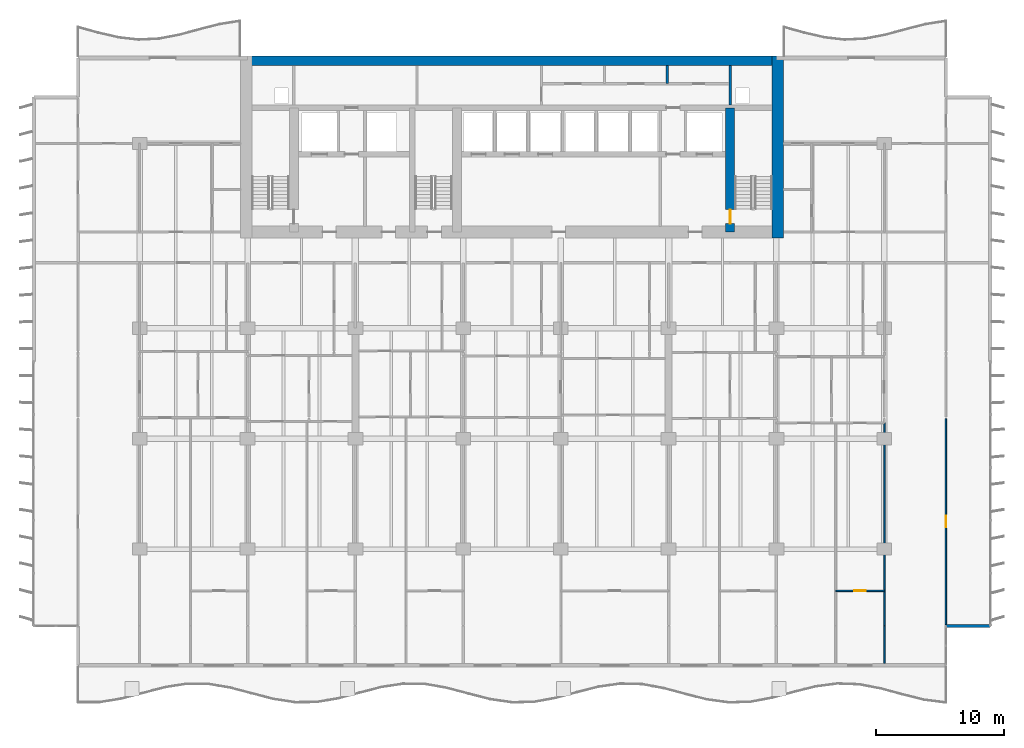
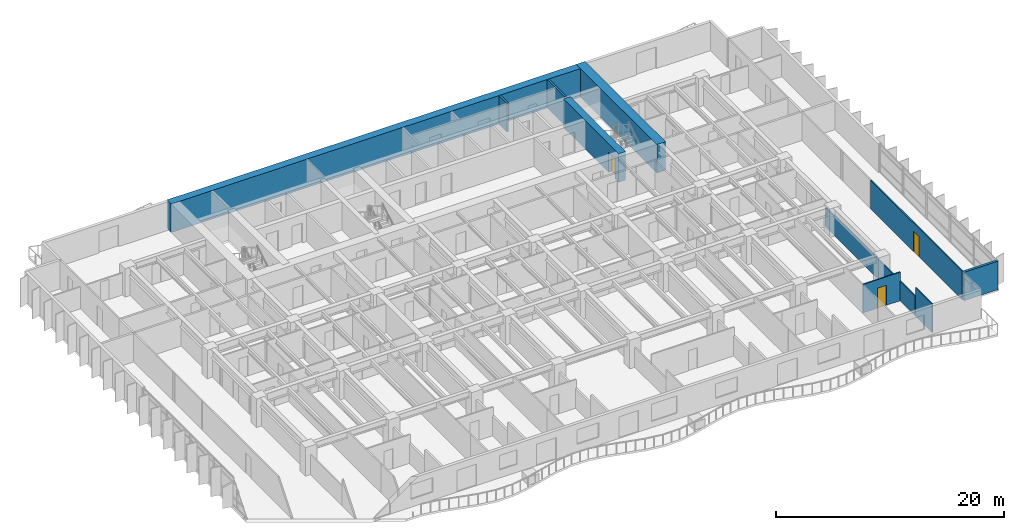
# One storey, part 12 of 18: 10 walls, 3 doors, 3 openings.
"""IFC4 building model written with IfcOpenShell, lengths in metres."""

import ifcopenshell
import ifcopenshell.guid

model = None  # the IFC model being written
_history = None  # IfcOwnerHistory: only IFC2X3 demands one
_inside = {}  # id of a spatial element -> (the spatial element, [elements in it])
_under = {}  # id of a project, library or spatial element -> (it, [spatial elements below it])
_declared = {}  # id of a project -> (the project, [libraries it declares])
_typed = {}  # id of a type object -> (the type object, [elements of that type])
_made_of = {}  # id of a material, layer set ... -> (it, [elements and type objects made of it])


def new_model(schema):
    """Start an empty IFC model of exactly this schema.

    Asked for "IFC4X3", IfcOpenShell would pick the latest addendum, in which some entities
    have other attributes; the version numbers below select the first issue.
    IFC2X3 requires an IfcOwnerHistory on every rooted entity: one is made here for all.
    """
    global model, _history
    if schema == "IFC4X3":
        model = ifcopenshell.file(schema_version=(4, 3, 0, 0))
    else:
        model = ifcopenshell.file(schema=schema)
    _inside.clear()
    _under.clear()
    _declared.clear()
    _typed.clear()
    _made_of.clear()
    _history = None
    if model.schema == "IFC2X3":
        org = make("IfcOrganization", Name="unknown")
        user = make(
            "IfcPersonAndOrganization",
            ThePerson=make("IfcPerson", FamilyName="unknown"),
            TheOrganization=org,
        )
        app = make(
            "IfcApplication",
            ApplicationDeveloper=org,
            Version="unknown",
            ApplicationFullName="unknown",
            ApplicationIdentifier="unknown",
        )
        _history = make(
            "IfcOwnerHistory",
            OwningUser=user,
            OwningApplication=app,
            ChangeAction="ADDED",
            CreationDate=0,
        )
    return model


def make(cls, **values):
    """One entity of the class cls with the attributes given. An attribute that is None is left unset."""
    return model.create_entity(
        cls, **{name: value for name, value in values.items() if value is not None}
    )


def rooted(cls, **values):
    """An entity with a GlobalId (a new one), such as an element, a storey or a relation."""
    return make(cls, GlobalId=ifcopenshell.guid.new(), OwnerHistory=_history, **values)


def si_unit(unit_type, name, prefix=None):
    """IfcSIUnit, for example si_unit("LENGTHUNIT", "METRE", prefix="MILLI")."""
    return make("IfcSIUnit", UnitType=unit_type, Prefix=prefix, Name=name)


def assignment(units):
    """IfcUnitAssignment: the units of a project."""
    return None if units is None else make("IfcUnitAssignment", Units=units)


def point(xyz):
    """IfcCartesianPoint."""
    return None if xyz is None else make("IfcCartesianPoint", Coordinates=xyz)


def direction(xyz):
    """IfcDirection."""
    return None if xyz is None else make("IfcDirection", DirectionRatios=xyz)


def frame(location, z_axis=None, x_axis=None):
    """IfcAxis2Placement3D, a coordinate frame: its origin and axes. An axis left out is left unset."""
    return make(
        "IfcAxis2Placement3D",
        Location=point(location),
        Axis=direction(z_axis),
        RefDirection=direction(x_axis),
    )


def frame_2d(location, x_axis=None):
    """IfcAxis2Placement2D, a coordinate frame in the plane: its origin and x axis."""
    return make(
        "IfcAxis2Placement2D", Location=point(location), RefDirection=direction(x_axis)
    )


def origin():
    """The frame at (0, 0, 0) with its axes left unset."""
    return frame((0.0, 0.0, 0.0))


def place(relative_to, where):
    """IfcLocalPlacement: puts the frame where relative to a parent placement (None: the world)."""
    return make(
        "IfcLocalPlacement", PlacementRelTo=relative_to, RelativePlacement=where
    )


def context(
    kind, dimensions, precision=None, world=None, true_north=None, identifier=None
):
    """IfcGeometricRepresentationContext, for example the 3D "Model" context."""
    return make(
        "IfcGeometricRepresentationContext",
        ContextIdentifier=identifier,
        ContextType=kind,
        CoordinateSpaceDimension=dimensions,
        Precision=precision,
        WorldCoordinateSystem=world,
        TrueNorth=true_north,
    )


def subcontext(parent, identifier, kind, view, scale=None):
    """IfcGeometricRepresentationSubContext, for example "Body" below "Model"."""
    return make(
        "IfcGeometricRepresentationSubContext",
        ContextIdentifier=identifier,
        ContextType=kind,
        ParentContext=parent,
        TargetScale=scale,
        TargetView=view,
    )


def project(units=None, contexts=None):
    """IfcProject with its units and contexts."""
    return rooted(
        "IfcProject",
        Name="project",
        RepresentationContexts=contexts,
        UnitsInContext=assignment(units),
    )


def spatial(cls, under=None, at=None, **own):
    """A site, building, storey or space (cls), placed at a placement, below another one or the project."""
    s = rooted(cls, ObjectPlacement=at, **own)
    if under is not None:
        _under.setdefault(under.id(), (under, []))[1].append(s)
    return s


def profile(cls, at=None, kind="AREA", **sizes):
    """A parametric profile (cls). Its sizes go by their IFC names, for example OverallWidth=200.0."""
    return make(cls, ProfileType=kind, Position=at, **sizes)


def rectangle(**sizes):
    """IfcRectangleProfileDef."""
    return profile("IfcRectangleProfileDef", **sizes)


def extrude(swept, where, along, depth):
    """IfcExtrudedAreaSolid: the profile swept, set in the frame where, extruded along a direction by depth."""
    return make(
        "IfcExtrudedAreaSolid",
        SweptArea=swept,
        Position=where,
        ExtrudedDirection=direction(along),
        Depth=depth,
    )


def shape(context_of_items, identifier, shape_type, items):
    """IfcShapeRepresentation: the items that make up one representation, for example the "Body"."""
    return make(
        "IfcShapeRepresentation",
        ContextOfItems=context_of_items,
        RepresentationIdentifier=identifier,
        RepresentationType=shape_type,
        Items=items,
    )


def material(Name=None, Category=None):
    """IfcMaterial."""
    return make("IfcMaterial", Name=Name, Category=Category)


def layer(
    of_material, thickness, ventilated=None, Name=None, Category=None, Priority=None
):
    """IfcMaterialLayer: one layer of a wall or slab, of a material (None: an air gap)."""
    return make(
        "IfcMaterialLayer",
        Material=of_material,
        LayerThickness=thickness,
        IsVentilated=ventilated,
        Name=Name,
        Category=Category,
        Priority=Priority,
    )


def layer_set(layers, Name=None):
    """IfcMaterialLayerSet."""
    return make("IfcMaterialLayerSet", MaterialLayers=layers, LayerSetName=Name)


def made_of(thing, what):
    """Note that an element or type object is made of a material, layer set ...; save() writes the relation."""
    if what is not None:
        _made_of.setdefault(what.id(), (what, []))[1].append(thing)
    return thing


def type_object(cls, material=None, **own):
    """A type object (cls), such as IfcWallType, which elements share."""
    return made_of(rooted(cls, **own), material)


def element(
    cls,
    number,
    at=None,
    inside=None,
    cuts=None,
    type_object=None,
    material=None,
    context=None,
    identifier="Body",
    shape_type=None,
    held_by="IfcProductDefinitionShape",
    body=None,
    shapes=None,
    **own,
):
    """One element of the class cls, such as IfcWall. Its Tag is "e" and its number.

    at: its placement. inside: the storey or other place that contains it. cuts: it is an
    opening in that element (IfcRelVoidsElement). A single representation is given by context,
    identifier, shape_type and body (its items); several are given by shapes. held_by: the class
    of the entity that holds the representations. save() writes the other relations.
    """
    e = rooted(cls, Tag="e%d" % number, ObjectPlacement=at, **own)
    if body is not None:
        shapes = [shape(context, identifier, shape_type, body)]
    if shapes is not None:
        e.Representation = make(held_by, Representations=shapes)
    if inside is not None:
        _inside.setdefault(inside.id(), (inside, []))[1].append(e)
    if cuts is not None:
        rooted(
            "IfcRelVoidsElement", RelatingBuildingElement=cuts, RelatedOpeningElement=e
        )
    if type_object is not None:
        _typed.setdefault(type_object.id(), (type_object, []))[1].append(e)
    return made_of(e, material)


def fill(opening, filler):
    """IfcRelFillsElement: the door or window that sits in an opening."""
    return rooted(
        "IfcRelFillsElement",
        RelatingOpeningElement=opening,
        RelatedBuildingElement=filler,
    )


def aggregate(whole, parts):
    """IfcRelAggregates: a whole, such as a stair, and the parts it consists of."""
    return rooted("IfcRelAggregates", RelatingObject=whole, RelatedObjects=parts)


def save(model, path):
    """Write the relations noted so far, then the file.

    IfcRelAggregates (storeys below a building ...), IfcRelContainedInSpatialStructure (elements
    in a storey), IfcRelDefinesByType, IfcRelAssociatesMaterial and IfcRelDeclares: one each for
    every whole, place, type object, material and project.
    """
    for whole, parts in _under.values():
        aggregate(whole, parts)
    for where, things in _inside.values():
        rooted(
            "IfcRelContainedInSpatialStructure",
            RelatedElements=things,
            RelatingStructure=where,
        )
    for kind, things in _typed.values():
        rooted("IfcRelDefinesByType", RelatedObjects=things, RelatingType=kind)
    for what, things in _made_of.values():
        rooted("IfcRelAssociatesMaterial", RelatedObjects=things, RelatingMaterial=what)
    for by, libraries in _declared.values():
        rooted("IfcRelDeclares", RelatingContext=by, RelatedDefinitions=libraries)
    model.write(path)


model = new_model("IFC4")

# Units and contexts
model_context = context("Model", 3, precision=1e-05, world=origin(), true_north=direction((0.0, 1.0)))
body_context = subcontext(model_context, "Body", "Model", "MODEL_VIEW")
ifc_project = project(units=[si_unit("LENGTHUNIT", "METRE"), si_unit("AREAUNIT", "SQUARE_METRE"), si_unit("VOLUMEUNIT", "CUBIC_METRE"), si_unit("PLANEANGLEUNIT", "RADIAN"), si_unit("MASSUNIT", "GRAM", prefix="KILO")], contexts=[model_context])

# Site, building, storey
site_placement = place(None, origin())
site = spatial("IfcSite", under=ifc_project, at=site_placement, CompositionType="ELEMENT")
building_placement = place(site_placement, origin())
building = spatial("IfcBuilding", under=site, at=building_placement, Name="Caelmar Bay Residences", CompositionType="ELEMENT")
storey_placement = place(building_placement, frame((0.0, 0.0, 36.60009765625)))
storey = spatial("IfcBuildingStorey", under=building, at=storey_placement, Name="L08", CompositionType="ELEMENT", Elevation=36.60009765625)

# Wall, opening, door
ifc_material_1 = material(Name="Concrete f'c 55 MPa (8,000 psi)", Category="concrete")
ifc_layer_1 = layer(ifc_material_1, 0.699951171875)
ifc_layer_set_1 = layer_set([ifc_layer_1], Name="Concrete f'c 55 MPa (8,000 psi)")
wall_type_1 = type_object("IfcWallType", Name="SW-COR-700", PredefinedType="SHEAR", material=ifc_layer_set_1)
wall_1_placement = place(storey_placement, frame((55.89990234375, 36.89990234375, 0.0), z_axis=(0.0, 0.0, 1.0), x_axis=(0.0, 1.0, 0.0)))
wall_1 = element("IfcWall", 1, at=wall_1_placement, inside=storey, type_object=wall_type_1, Name="L08 Core Structural Web Wall ST2W", PredefinedType="SHEAR", context=body_context, shape_type="SweptSolid", body=[
    extrude(rectangle(XDim=9.675048828125, YDim=0.699951171875, at=frame_2d((4.83740234375, 0.0))), origin(), (0.0, 0.0, 1.0), 3.0498046875),
])
opening_1_placement = place(wall_1_placement, frame((0.64990234375, 0.0, 0.0)))
opening_1 = element("IfcOpeningElement", 2, at=opening_1_placement, cuts=wall_1, Name="Opening D-L08-111", PredefinedType="OPENING", context=body_context, shape_type="SweptSolid", body=[
    extrude(rectangle(XDim=1.10009765625, YDim=2.14990234375, at=frame_2d((0.550048828125, 1.074951171875))), frame((0.0, 0.35986328125, 0.0), z_axis=(0.0, -1.0, 0.0), x_axis=(1.0, 0.0, 0.0)), (0.0, 0.0, 1.0), 0.719970703125),
])
ifc_material_2 = material(Name="Fire-rated steel and walnut architectural door assembly", Category="steel")
ifc_layer_2 = layer(ifc_material_2, 0.050048828125)
ifc_layer_set_2 = layer_set([ifc_layer_2], Name="Fire-rated steel and walnut architectural door assembly")
door_type_1 = type_object("IfcDoorType", Name="D-STAIR-1100", OperationType="NOTDEFINED", PredefinedType="DOOR", material=ifc_layer_set_2)
door_1_placement = place(opening_1_placement, origin())
door_1 = element("IfcDoor", 3, at=door_1_placement, inside=storey, type_object=door_type_1, Name="L08 Firefighting Lobby East Door", OperationType="SINGLE_SWING_LEFT", OverallHeight=2.14990234375, OverallWidth=1.10009765625, PredefinedType="DOOR", context=body_context, shape_type="SweptSolid", body=[
    extrude(rectangle(XDim=1.10009765625, YDim=2.14990234375, at=frame_2d((0.550048828125, 1.074951171875))), frame((0.0, 0.02490234375, 0.0), z_axis=(0.0, -1.0, 0.0), x_axis=(1.0, 0.0, 0.0)), (0.0, 0.0, 1.0), 0.050048828125),
])
fill(opening_1, door_1)

# Walls
ifc_material_3 = material(Name="Concrete f'c 70 MPa (10,000 psi)", Category="concrete")
ifc_layer_3 = layer(ifc_material_3, 0.89990234375)
ifc_layer_set_3 = layer_set([ifc_layer_3], Name="Concrete f'c 70 MPa (10,000 psi)")
wall_type_2 = type_object("IfcWallType", Name="SW-COR-900", PredefinedType="SHEAR", material=ifc_layer_set_3)
wall_2_placement = place(storey_placement, frame((59.60009765625, 36.449951171875, 0.0), z_axis=(0.0, 0.0, 1.0), x_axis=(0.0, 1.0, 0.0)))
element("IfcWall", 4, at=wall_2_placement, inside=storey, type_object=wall_type_2, Name="L08 Rear Core East Shear Wall", PredefinedType="SHEAR", context=body_context, shape_type="SweptSolid", body=[
    extrude(rectangle(XDim=14.150146484375, YDim=0.89990234375, at=frame_2d((7.0751953125, 0.0))), origin(), (0.0, 0.0, 1.0), 3.0498046875),
])
ifc_layer_4 = layer(ifc_material_3, 0.75)
ifc_layer_set_4 = layer_set([ifc_layer_4], Name="Concrete f'c 70 MPa (10,000 psi)")
wall_type_3 = type_object("IfcWallType", Name="SW-CORN-750", PredefinedType="SHEAR", material=ifc_layer_set_4)
wall_3_placement = place(storey_placement, frame((17.75, 50.22509765625, 0.0), z_axis=(0.0, 0.0, 1.0), x_axis=(1.0, 0.0, 0.0)))
element("IfcWall", 5, at=wall_3_placement, inside=storey, type_object=wall_type_3, Name="L08 Rear Core North Shear Wall", PredefinedType="SHEAR", context=body_context, shape_type="SweptSolid", body=[
    extrude(rectangle(XDim=42.300048828125, YDim=0.75, at=frame_2d((21.14990234375, 0.0))), origin(), (0.0, 0.0, 1.0), 3.0498046875),
])
ifc_material_4 = material(Name="Double-stud acoustic fire-rated gypsum partition 180 mm")
ifc_layer_5 = layer(ifc_material_4, 0.179931640625)
ifc_layer_set_5 = layer_set([ifc_layer_5], Name="Double-stud acoustic fire-rated gypsum partition 180 mm")
wall_type_4 = type_object("IfcWallType", Name="W-COR-200", PredefinedType="PARTITIONING", material=ifc_layer_set_5)
wall_4_placement = place(storey_placement, frame((51.0, 48.449951171875, 0.0), z_axis=(0.0, 0.0, 1.0), x_axis=(0.0, 1.0, 0.0)))
element("IfcWall", 6, at=wall_4_placement, inside=storey, type_object=wall_type_4, Name="L08 Partition Wall V067", PredefinedType="PARTITIONING", context=body_context, shape_type="SweptSolid", body=[
    extrude(rectangle(XDim=1.405029296875, YDim=0.179931640625, at=frame_2d((0.70263671875, 0.0))), origin(), (0.0, 0.0, 1.0), 3.0498046875),
])
ifc_material_5 = material(Name="Precast concrete f'c 40 MPa (6,000 psi)", Category="concrete")
ifc_layer_6 = layer(ifc_material_5, 0.25)
ifc_layer_set_6 = layer_set([ifc_layer_6], Name="Precast concrete f'c 40 MPa (6,000 psi)")
wall_type_5 = type_object("IfcWallType", Name="W-EXT-250", PredefinedType="ELEMENTEDWALL", material=ifc_layer_set_6)
wall_5_placement = place(storey_placement, frame((72.699951171875, 6.199951171875, 0.0), z_axis=(0.0, 0.0, 1.0), x_axis=(1.0, 0.0, 0.0)))
element("IfcWall", 7, at=wall_5_placement, inside=storey, type_object=wall_type_5, Name="L08 SE Notch Return Wall", PredefinedType="ELEMENTEDWALL", context=body_context, shape_type="SweptSolid", body=[
    extrude(rectangle(XDim=3.449951171875, YDim=0.25, at=frame_2d((1.72509765625, 0.0))), origin(), (0.0, 0.0, 1.0), 3.0498046875),
])
ifc_material_6 = material(Name="Fire-rated masonry and gypsum shaftliner assembly 200 mm", Category="masonry")
ifc_layer_7 = layer(ifc_material_6, 0.199951171875)
ifc_layer_set_7 = layer_set([ifc_layer_7], Name="Fire-rated masonry and gypsum shaftliner assembly 200 mm")
wall_type_6 = type_object("IfcWallType", Name="W-FSAE-200", PredefinedType="PARTITIONING", material=ifc_layer_set_7)
wall_6_placement = place(storey_placement, frame((55.89990234375, 46.794921875, 0.0), z_axis=(0.0, 0.0, 1.0), x_axis=(0.0, 1.0, 0.0)))
element("IfcWall", 8, at=wall_6_placement, inside=storey, type_object=wall_type_6, Name="L08 Partition Wall V076", PredefinedType="PARTITIONING", context=body_context, shape_type="SweptSolid", body=[
    extrude(rectangle(XDim=3.06005859375, YDim=0.199951171875, at=frame_2d((1.530029296875, 0.0))), origin(), (0.0, 0.0, 1.0), 3.0498046875),
])
ifc_material_7 = material(Name="Acoustic metal-stud gypsum partition 120 mm")
ifc_layer_8 = layer(ifc_material_7, 0.1201171875)
ifc_layer_set_8 = layer_set([ifc_layer_8], Name="Acoustic metal-stud gypsum partition 120 mm")
wall_type_7 = type_object("IfcWallType", Name="W-PRT-120", PredefinedType="PARTITIONING", material=ifc_layer_set_8)
wall_7_placement = place(storey_placement, frame((67.89990234375, 3.294921875, 0.0), z_axis=(0.0, 0.0, 1.0), x_axis=(0.0, 1.0, 0.0)))
element("IfcWall", 9, at=wall_7_placement, inside=storey, type_object=wall_type_7, Name="L08 Partition Wall V090", PredefinedType="PARTITIONING", context=body_context, shape_type="SweptSolid", body=[
    extrude(rectangle(XDim=2.905029296875, YDim=0.1201171875, at=frame_2d((1.45263671875, 0.0))), origin(), (0.0, 0.0, 1.0), 3.0498046875),
])
wall_8_placement = place(storey_placement, frame((67.89990234375, 6.239990234375, 0.0), z_axis=(0.0, 0.0, 1.0), x_axis=(0.0, 1.0, 0.0)))
element("IfcWall", 10, at=wall_8_placement, inside=storey, type_object=wall_type_7, Name="L08 Partition Wall V091", PredefinedType="PARTITIONING", context=body_context, shape_type="SweptSolid", body=[
    extrude(rectangle(XDim=15.7900390625, YDim=0.1201171875, at=frame_2d((7.89501953125, 0.0))), origin(), (0.0, 0.0, 1.0), 2.10986328125),
])

# Wall, opening, door
wall_9_placement = place(storey_placement, frame((72.699951171875, 6.320068359375, 0.0), z_axis=(0.0, 0.0, 1.0), x_axis=(0.0, 1.0, 0.0)))
wall_9 = element("IfcWall", 11, at=wall_9_placement, inside=storey, type_object=wall_type_7, Name="L08 Partition Wall V097", PredefinedType="PARTITIONING", context=body_context, shape_type="SweptSolid", body=[
    extrude(rectangle(XDim=16.050048828125, YDim=0.1201171875, at=frame_2d((8.02490234375, 0.0))), origin(), (0.0, 0.0, 1.0), 3.0498046875),
])
opening_2_placement = place(wall_9_placement, frame((7.574951171875, 0.0, 0.0)))
opening_2 = element("IfcOpeningElement", 12, at=opening_2_placement, cuts=wall_9, Name="Opening D-L08-168", PredefinedType="OPENING", context=body_context, shape_type="SweptSolid", body=[
    extrude(rectangle(XDim=0.89990234375, YDim=2.14990234375, at=frame_2d((0.449951171875, 1.074951171875))), frame((0.0, 0.070068359375, 0.0), z_axis=(0.0, -1.0, 0.0), x_axis=(1.0, 0.0, 0.0)), (0.0, 0.0, 1.0), 0.14013671875),
])
ifc_material_8 = material(Name="Solid walnut timber interior door leaf and frame", Category="wood")
ifc_layer_9 = layer(ifc_material_8, 0.050048828125)
ifc_layer_set_9 = layer_set([ifc_layer_9], Name="Solid walnut timber interior door leaf and frame")
door_type_2 = type_object("IfcDoorType", Name="D-ROOM-900", OperationType="NOTDEFINED", PredefinedType="DOOR", material=ifc_layer_set_9)
door_2_placement = place(opening_2_placement, origin())
door_2 = element("IfcDoor", 13, at=door_2_placement, inside=storey, type_object=door_type_2, Name="L08 Residence 06 Penthouse East Salon Door", OperationType="SINGLE_SWING_RIGHT", OverallHeight=2.14990234375, OverallWidth=0.89990234375, PredefinedType="DOOR", context=body_context, shape_type="SweptSolid", body=[
    extrude(rectangle(XDim=0.89990234375, YDim=2.14990234375, at=frame_2d((0.449951171875, 1.074951171875))), frame((0.0, 0.02490234375, 0.0), z_axis=(0.0, -1.0, 0.0), x_axis=(1.0, 0.0, 0.0)), (0.0, 0.0, 1.0), 0.050048828125),
])
fill(opening_2, door_2)

wall_10_placement = place(storey_placement, frame((64.1201171875, 8.949951171875, 0.0), z_axis=(0.0, 0.0, 1.0), x_axis=(1.0, 0.0, 0.0)))
wall_10 = element("IfcWall", 14, at=wall_10_placement, inside=storey, type_object=wall_type_7, Name="L08 Partition Wall H109", PredefinedType="PARTITIONING", context=body_context, shape_type="SweptSolid", body=[
    extrude(rectangle(XDim=3.77978515625, YDim=0.1201171875, at=frame_2d((1.889892578125, 0.0))), origin(), (0.0, 0.0, 1.0), 3.0498046875),
])
opening_3_placement = place(wall_10_placement, frame((1.43994140625, 0.0, 0.0)))
opening_3 = element("IfcOpeningElement", 15, at=opening_3_placement, cuts=wall_10, Name="Opening D-L08-165", PredefinedType="OPENING", context=body_context, shape_type="SweptSolid", body=[
    extrude(rectangle(XDim=0.89990234375, YDim=2.14990234375, at=frame_2d((0.449951171875, 1.074951171875))), frame((0.0, 0.070068359375, 0.0), z_axis=(0.0, -1.0, 0.0), x_axis=(1.0, 0.0, 0.0)), (0.0, 0.0, 1.0), 0.14013671875),
])
door_3_placement = place(opening_3_placement, origin())
door_3 = element("IfcDoor", 16, at=door_3_placement, inside=storey, type_object=door_type_2, Name="L08 Residence 06 Primary Bedroom Door", OperationType="SINGLE_SWING_LEFT", OverallHeight=2.14990234375, OverallWidth=0.89990234375, PredefinedType="DOOR", context=body_context, shape_type="SweptSolid", body=[
    extrude(rectangle(XDim=0.89990234375, YDim=2.14990234375, at=frame_2d((0.449951171875, 1.074951171875))), frame((0.0, 0.02490234375, 0.0), z_axis=(0.0, -1.0, 0.0), x_axis=(1.0, 0.0, 0.0)), (0.0, 0.0, 1.0), 0.050048828125),
])
fill(opening_3, door_3)

save(model, "model.ifc")
